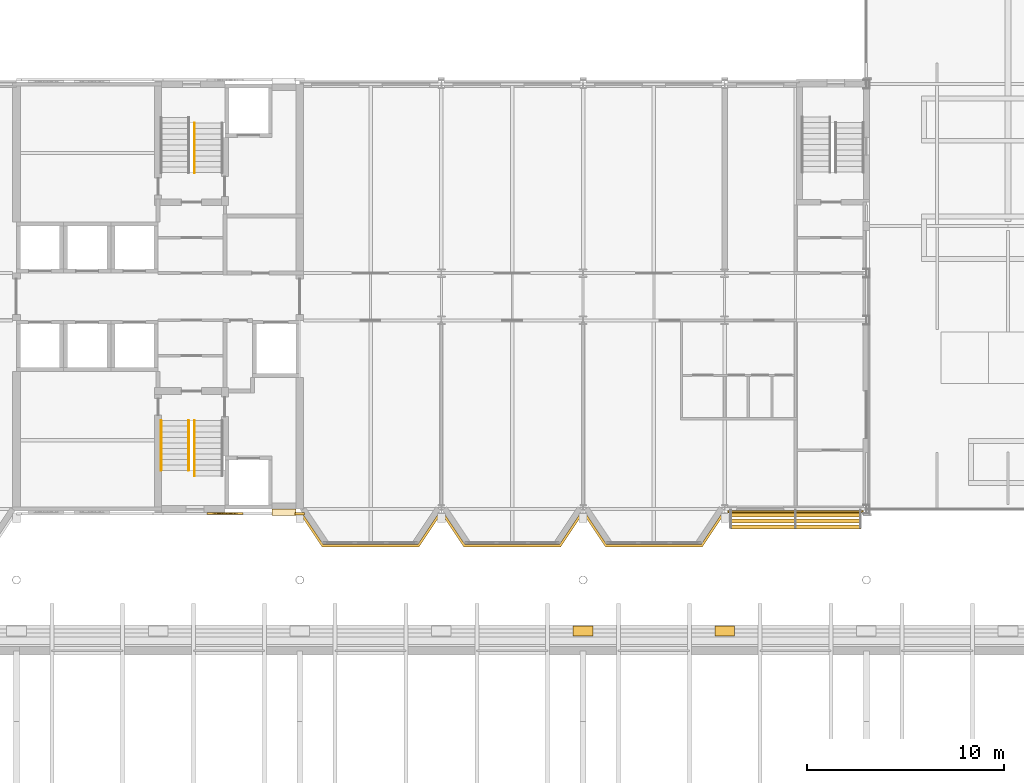
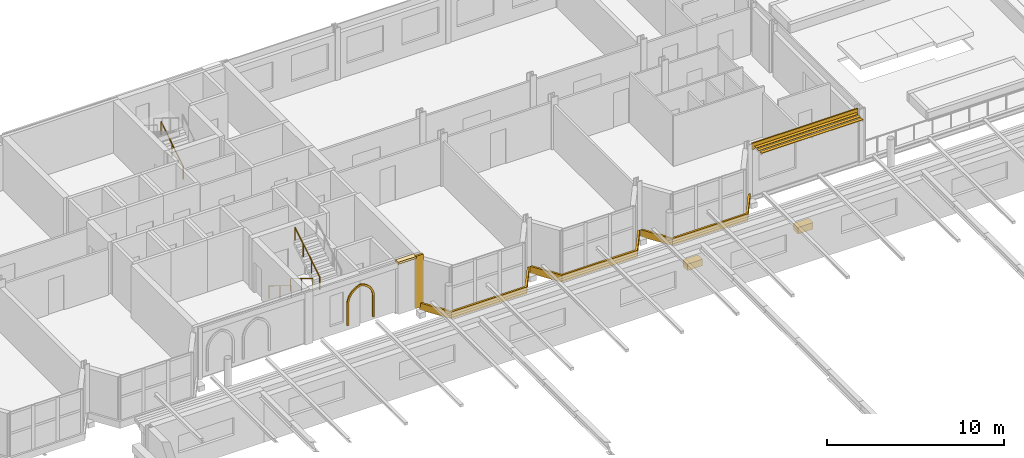
# One storey, part 101 of 110: 9 coverings, 4 railings, 3 shading devices.
"""IFC4 building model written with IfcOpenShell, lengths in metres."""

from ifc_helpers import new_model, si_unit, direction, frame, origin, origin_2d, place, context, subcontext, project, spatial, polyline, rectangle, circle, outline, extrude, material, layer, layer_set, type_object, element, save


model = new_model("IFC4")

# Units and contexts
model_context = context("Model", 3, precision=1e-05, world=origin(), true_north=direction((0.0, 1.0)))
body_context = subcontext(model_context, "Body", "Model", "MODEL_VIEW")
ifc_project = project(units=[si_unit("LENGTHUNIT", "METRE"), si_unit("AREAUNIT", "SQUARE_METRE"), si_unit("VOLUMEUNIT", "CUBIC_METRE"), si_unit("PLANEANGLEUNIT", "RADIAN"), si_unit("MASSUNIT", "GRAM", prefix="KILO")], contexts=[model_context])

# Site, building, storey
site_placement = place(None, origin())
site = spatial("IfcSite", under=ifc_project, at=site_placement, CompositionType="ELEMENT")
building_placement = place(site_placement, origin())
building = spatial("IfcBuilding", under=site, at=building_placement, Name="Kupolbacken Congress Centre", CompositionType="ELEMENT")
storey_placement = place(building_placement, frame((0.0, 0.0, 18.0)))
storey = spatial("IfcBuildingStorey", under=building, at=storey_placement, Name="L05", CompositionType="ELEMENT", Elevation=18.0)

# Coverings
ifc_material_1 = material(Name="Limestone cladding", Category="masonry")
ifc_layer_1 = layer(ifc_material_1, 0.1201171875)
ifc_layer_set_1 = layer_set([ifc_layer_1], Name="Limestone cladding")
covering_type_1 = type_object("IfcCoveringType", Name="CV1 limestone cladding band 120", PredefinedType="CLADDING", material=ifc_layer_set_1)
covering_1_placement = place(storey_placement, frame((0.0, 0.0, -0.199951171875)))
element("IfcCovering", 1, at=covering_1_placement, inside=storey, type_object=covering_type_1, Name="E/T/belt/L05/S/108", PredefinedType="CLADDING", context=body_context, shape_type="SweptSolid", body=[
    extrude(outline(polyline([(115.177490234375, 122.14990234375), (115.033203125, 122.14990234375), (114.0, 120.60009765625), (109.199951171875, 120.60009765625), (108.166748046875, 122.14990234375), (108.0224609375, 122.14990234375), (109.1357421875, 120.47998046875), (114.064208984375, 120.47998046875), (115.177490234375, 122.14990234375)])), origin(), (0.0, 0.0, 1.0), 0.47998046875),
])
covering_2_placement = place(storey_placement, frame((0.0, 0.0, -0.199951171875)))
element("IfcCovering", 2, at=covering_2_placement, inside=storey, type_object=covering_type_1, Name="E/T/belt/L05/S/115.2", PredefinedType="CLADDING", context=body_context, shape_type="SweptSolid", body=[
    extrude(outline(polyline([(122.377685546875, 122.14990234375), (122.2333984375, 122.14990234375), (121.199951171875, 120.60009765625), (116.39990234375, 120.60009765625), (115.36669921875, 122.14990234375), (115.222412109375, 122.14990234375), (116.335693359375, 120.47998046875), (121.26416015625, 120.47998046875), (122.377685546875, 122.14990234375)])), origin(), (0.0, 0.0, 1.0), 0.47998046875),
])
covering_3_placement = place(storey_placement, frame((0.0, 0.0, -0.199951171875)))
element("IfcCovering", 3, at=covering_3_placement, inside=storey, type_object=covering_type_1, Name="E/T/belt/L05/S/122.4", PredefinedType="CLADDING", context=body_context, shape_type="SweptSolid", body=[
    extrude(outline(polyline([(129.57763671875, 122.14990234375), (129.433349609375, 122.14990234375), (128.39990234375, 120.60009765625), (123.60009765625, 120.60009765625), (122.566650390625, 122.14990234375), (122.42236328125, 122.14990234375), (123.535888671875, 120.47998046875), (128.464111328125, 120.47998046875), (129.57763671875, 122.14990234375)])), origin(), (0.0, 0.0, 1.0), 0.47998046875),
])
covering_4_placement = place(storey_placement, frame((107.199951171875, 122.2451171875, 3.4599609375), z_axis=(0.0, 0.0, 1.0), x_axis=(1.0, 0.0, 0.0)))
element("IfcCovering", 4, at=covering_4_placement, inside=storey, type_object=covering_type_1, Name="E/T/S/L05/075/band", PredefinedType="CLADDING", context=body_context, shape_type="SweptSolid", body=[
    extrude(rectangle(XDim=1.199951171875, YDim=0.31005859375, at=origin_2d()), origin(), (0.0, 0.0, 1.0), 0.139892578125),
])
covering_5_placement = place(storey_placement, frame((133.20166015625, 122.2724609375, 3.159912109375), z_axis=(0.0, 0.0, 1.0), x_axis=(1.0, 0.0, 0.0)))
element("IfcCovering", 5, at=covering_5_placement, inside=storey, type_object=covering_type_1, Name="E/T/S/L05/076/band", PredefinedType="CLADDING", context=body_context, shape_type="SweptSolid", body=[
    extrude(rectangle(XDim=6.896484375, YDim=0.0849609375, at=origin_2d()), origin(), (0.0, 0.0, 1.0), 0.43994140625),
])
ifc_material_2 = material(Name="Brick cladding", Category="masonry")
ifc_layer_2 = layer(ifc_material_2, 0.10791015625)
ifc_layer_set_2 = layer_set([ifc_layer_2], Name="Brick cladding")
covering_type_2 = type_object("IfcCoveringType", Name="CV2 brick cladding band 108", PredefinedType="CLADDING", material=ifc_layer_set_2)
covering_6_placement = place(storey_placement, frame((108.0, 122.1650390625, 0.0), z_axis=(0.0, 0.0, 1.0), x_axis=(1.0, 0.0, 0.0)))
element("IfcCovering", 6, at=covering_6_placement, inside=storey, type_object=covering_type_2, Name="E/T/stripe/S/L05/pil108", PredefinedType="CLADDING", context=body_context, shape_type="SweptSolid", body=[
    extrude(rectangle(XDim=0.5, YDim=0.1201171875, at=origin_2d()), origin(), (0.0, 0.0, 1.0), 3.60009765625),
])
covering_7_placement = place(storey_placement, frame((103.300048828125, 122.22509765625, 0.35009765625), z_axis=(0.0, -1.0, 0.0), x_axis=(1.0, 0.0, 0.0)))
element("IfcCovering", 7, at=covering_7_placement, inside=storey, type_object=covering_type_2, Name="E/T/stripe/S/L05/niche100.8/1", PredefinedType="CLADDING", context=body_context, shape_type="SweptSolid", body=[
    extrude(outline(polyline([(0.0, 0.0), (0.0, 1.43408203125), (0.00537109375, 1.54443359375), (0.021484375, 1.654052734375), (0.048095703125, 1.761474609375), (0.084716796875, 1.86572265625), (0.131591796875, 1.966064453125), (0.187744140625, 2.061279296875), (0.2529296875, 2.15087890625), (0.32666015625, 2.2333984375), (0.40771484375, 2.30859375), (0.495849609375, 2.37548828125), (0.590087890625, 2.433837890625), (0.689453125, 2.482421875), (0.793212890625, 2.521240234375), (0.89990234375, 2.550048828125), (1.0068359375, 2.521240234375), (1.110595703125, 2.482421875), (1.2099609375, 2.433837890625), (1.30419921875, 2.37548828125), (1.39208984375, 2.30859375), (1.473388671875, 2.2333984375), (1.547119140625, 2.15087890625), (1.6123046875, 2.061279296875), (1.66845703125, 1.966064453125), (1.715087890625, 1.86572265625), (1.751953125, 1.761474609375), (1.778564453125, 1.654052734375), (1.794677734375, 1.54443359375), (1.800048828125, 1.43408203125), (1.800048828125, 0.0), (1.679931640625, 0.0), (1.679931640625, 1.43408203125), (1.67529296875, 1.531005859375), (1.66162109375, 1.627197265625), (1.638671875, 1.7216796875), (1.60693359375, 1.8134765625), (1.566650390625, 1.90185546875), (1.51806640625, 1.986083984375), (1.461669921875, 2.065185546875), (1.398193359375, 2.138916015625), (1.327880859375, 2.205810546875), (1.25146484375, 2.26611328125), (1.169677734375, 2.318603515625), (1.08349609375, 2.36328125), (0.9931640625, 2.3994140625), (0.89990234375, 2.427001953125), (0.806884765625, 2.3994140625), (0.716552734375, 2.36328125), (0.63037109375, 2.318603515625), (0.548583984375, 2.26611328125), (0.47216796875, 2.205810546875), (0.40185546875, 2.138916015625), (0.33837890625, 2.065185546875), (0.281982421875, 1.986083984375), (0.2333984375, 1.90185546875), (0.193115234375, 1.8134765625), (0.161376953125, 1.7216796875), (0.138427734375, 1.627197265625), (0.12451171875, 1.531005859375), (0.1201171875, 1.43408203125), (0.1201171875, 0.0), (0.0, 0.0)])), origin(), (0.0, 0.0, 1.0), 0.080078125),
])
ifc_material_3 = material(Name="Limestone cladding", Category="masonry")
ifc_layer_3 = layer(ifc_material_3, 0.5)
ifc_layer_set_3 = layer_set([ifc_layer_3], Name="Limestone cladding")
covering_type_3 = type_object("IfcCoveringType", Name="CV8 limestone drum pier 500", PredefinedType="CLADDING", material=ifc_layer_set_3)
for number, where, z_axis, x_axis, name in (
    (8, (122.39990234375, 116.2099609375, 1.38525390625), (0.0, 0.0, 1.0), (1.0, 0.0, 0.0), "F/HR/H/N/cap/05-0/0"),
    (9, (129.60009765625, 116.2099609375, 1.38525390625), (0.0, 0.0, 1.0), (1.0, 0.0, 0.0), "F/HR/H/N/cap/06-0/0"),
):
    element("IfcCovering", number, at=place(storey_placement, frame(where, z_axis=z_axis, x_axis=x_axis)), inside=storey, type_object=covering_type_3, Name=name, PredefinedType="CLADDING", context=body_context, shape_type="SweptSolid", body=[
        extrude(rectangle(XDim=1.0, YDim=0.5, at=origin_2d()), origin(), (0.0, 0.0, 1.0), 0.449951171875),
    ])

# Railings
ifc_material_4 = material(Name="Steel S235", Category="steel")
railing_type = type_object("IfcRailingType", Name="RL3 handrail wall-mounted 900", PredefinedType="HANDRAIL", material=ifc_material_4)
for number, where, name in (
    (10, (102.35009765625, 126.89501953125, 0.17138671875), "C/stair/TS1/L05/HR1L"),
    (11, (100.949951171875, 126.89501953125, 0.17138671875), "C/stair/TS1/L05/HR1R"),
):
    element("IfcRailing", number, at=place(storey_placement, frame(where)), inside=storey, type_object=railing_type, Name=name, PredefinedType="HANDRAIL", context=body_context, shape_type="SweptSolid", body=[
        extrude(circle(Radius=0.02392578125, at=origin_2d()), frame((0.0, 0.0, 0.8759765625), z_axis=(0.0, -0.852836285881, 0.522178388565), x_axis=(1.0, 0.0, 0.0)), (0.0, 0.0, 1.0), 2.954833984375),
        extrude(circle(Radius=0.02099609375, at=origin_2d()), origin(), (0.0, 0.0, 1.0), 0.851806640625),
        extrude(circle(Radius=0.02099609375, at=origin_2d()), frame((0.0, -1.260009765625, 0.771484375)), (0.0, 0.0, 1.0), 0.851806640625),
        extrude(circle(Radius=0.02099609375, at=origin_2d()), frame((0.0, -2.52001953125, 1.54296875)), (0.0, 0.0, 1.0), 0.851806640625),
    ])
railing_1_placement = place(storey_placement, frame((102.64990234375, 124.094970703125, 1.8857421875)))
element("IfcRailing", 12, at=railing_1_placement, inside=storey, type_object=railing_type, Name="C/stair/TS1/L05/HR2L", PredefinedType="HANDRAIL", context=body_context, shape_type="SweptSolid", body=[
    extrude(circle(Radius=0.02392578125, at=origin_2d()), frame((0.0, 0.0, 0.8759765625), z_axis=(0.0, 0.852845897599, 0.522162690116), x_axis=(-1.0, 0.0, 0.0)), (0.0, 0.0, 1.0), 3.283203125),
    extrude(circle(Radius=0.02099609375, at=origin_2d()), origin(), (0.0, 0.0, 1.0), 0.851806640625),
    extrude(circle(Radius=0.02099609375, at=origin_2d()), frame((0.0, 0.933349609375, 0.571533203125)), (0.0, 0.0, 1.0), 0.851806640625),
    extrude(circle(Radius=0.02099609375, at=origin_2d()), frame((0.0, 1.86669921875, 1.142822265625)), (0.0, 0.0, 1.0), 0.851806640625),
    extrude(circle(Radius=0.02099609375, at=origin_2d()), frame((0.0, 2.800048828125, 1.71435546875)), (0.0, 0.0, 1.0), 0.851806640625),
])
railing_2_placement = place(storey_placement, frame((102.64990234375, 139.5048828125, 0.17138671875)))
element("IfcRailing", 13, at=railing_2_placement, inside=storey, type_object=railing_type, Name="C/stair/TS2/L05/HR1L", PredefinedType="HANDRAIL", context=body_context, shape_type="SweptSolid", body=[
    extrude(circle(Radius=0.02392578125, at=origin_2d()), frame((0.0, 0.0, 0.8759765625), z_axis=(0.0, 0.852836285881, 0.522178388565), x_axis=(-1.0, 0.0, 0.0)), (0.0, 0.0, 1.0), 2.954833984375),
    extrude(circle(Radius=0.02099609375, at=origin_2d()), origin(), (0.0, 0.0, 1.0), 0.851806640625),
    extrude(circle(Radius=0.02099609375, at=origin_2d()), frame((0.0, 1.260009765625, 0.771484375)), (0.0, 0.0, 1.0), 0.851806640625),
    extrude(circle(Radius=0.02099609375, at=origin_2d()), frame((0.0, 2.52001953125, 1.54296875)), (0.0, 0.0, 1.0), 0.851806640625),
])

# Shading devices
ifc_material_5 = material(Name="Aluminium alloy louvre", Category="aluminium")
ifc_layer_4 = layer(ifc_material_5, 0.030029296875)
ifc_layer_set_4 = layer_set([ifc_layer_4], Name="Aluminium alloy louvre")
shading_device_type = type_object("IfcShadingDeviceType", Name="SC1 louvre blade 30 x 200", PredefinedType="JALOUSIE", material=ifc_layer_set_4)
for number, where, z_axis, x_axis, name in (
    (14, (133.20166015625, 122.10009765625, 3.35986328125), (0.0, 0.0, 1.0), (1.0, 0.0, 0.0), "Brise-soleil blade"),
    (15, (133.20166015625, 121.800048828125, 3.35986328125), (0.0, 0.0, 1.0), (1.0, 0.0, 0.0), "Brise-soleil blade"),
    (16, (133.20166015625, 121.5, 3.35986328125), (0.0, 0.0, 1.0), (1.0, 0.0, 0.0), "Brise-soleil blade"),
):
    element("IfcShadingDevice", number, at=place(storey_placement, frame(where, z_axis=z_axis, x_axis=x_axis)), inside=storey, type_object=shading_device_type, Name=name, PredefinedType="JALOUSIE", context=body_context, shape_type="SweptSolid", body=[
        extrude(rectangle(XDim=6.636474609375, YDim=0.199951171875, at=origin_2d()), origin(), (0.0, 0.0, 1.0), 0.030029296875),
    ])

save(model, "model.ifc")
